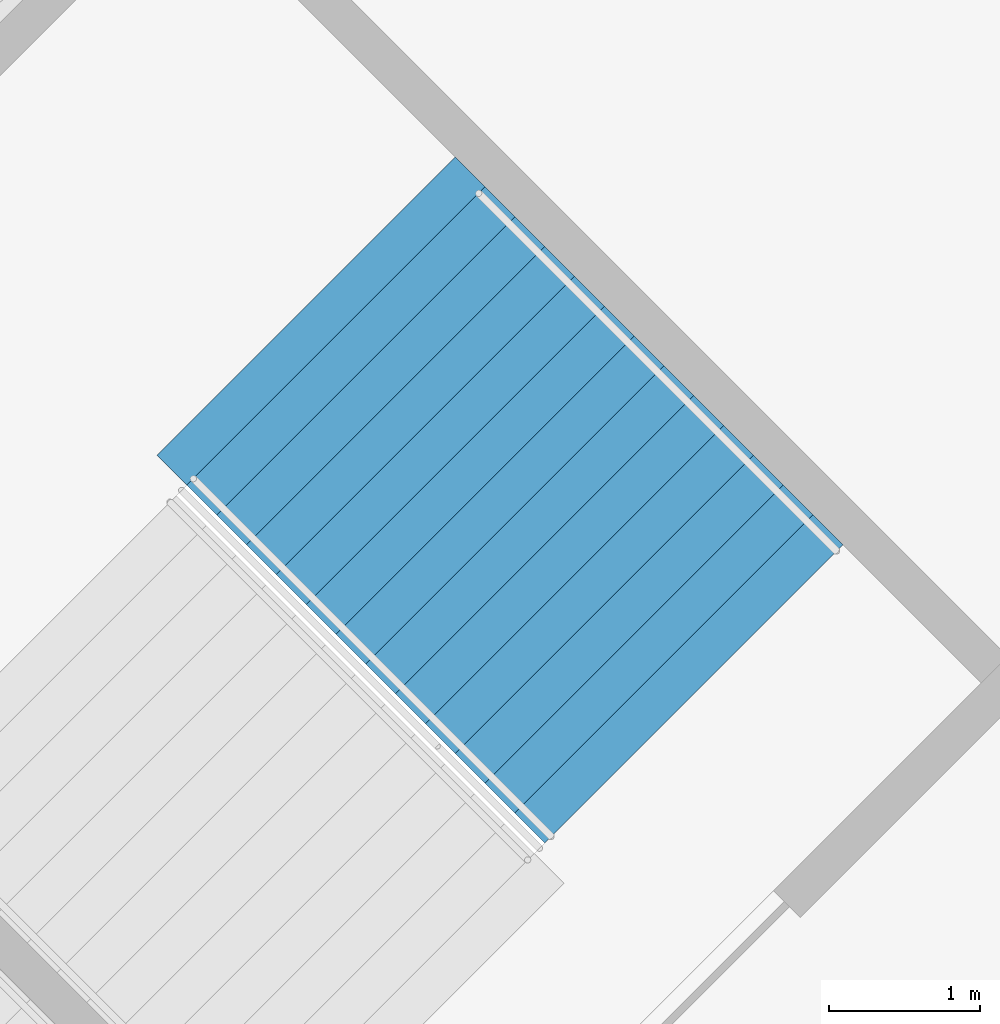
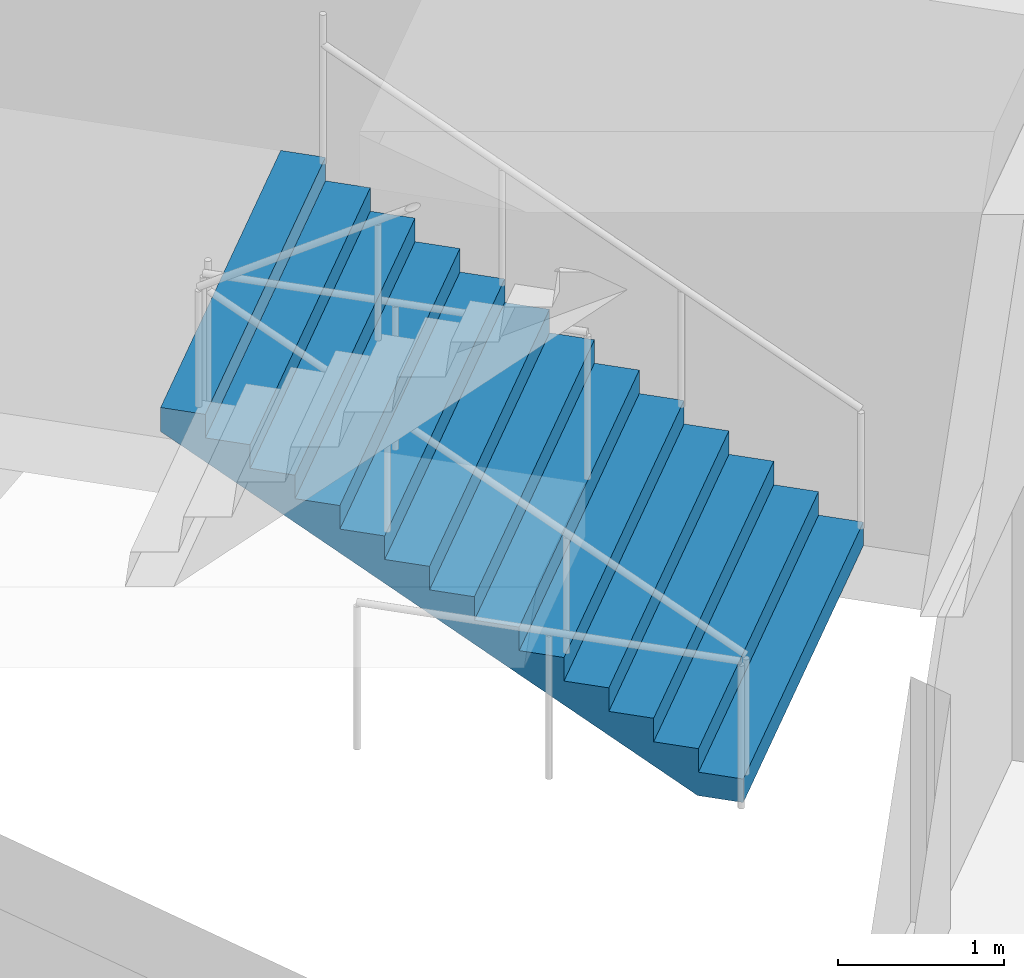
# One storey, part 158 of 199: 1 stair flight, 1 element without a shape of its own.
"""IFC4 building model written with IfcOpenShell, lengths in metres."""

from ifc_helpers import new_model, si_unit, direction, frame, origin, place, context, subcontext, project, spatial, faceted_brep, material, type_object, element, aggregate, save


model = new_model("IFC4")

# Units and contexts
model_context = context("Model", 3, precision=1e-05, world=origin(), true_north=direction((0.0, 1.0)))
body_context = subcontext(model_context, "Body", "Model", "MODEL_VIEW")
ifc_project = project(units=[si_unit("LENGTHUNIT", "METRE"), si_unit("AREAUNIT", "SQUARE_METRE"), si_unit("VOLUMEUNIT", "CUBIC_METRE"), si_unit("PLANEANGLEUNIT", "RADIAN"), si_unit("MASSUNIT", "GRAM", prefix="KILO")], contexts=[model_context])

# Site, building, storey
site_placement = place(None, origin())
site = spatial("IfcSite", under=ifc_project, at=site_placement, CompositionType="ELEMENT")
building_placement = place(site_placement, origin())
building = spatial("IfcBuilding", under=site, at=building_placement, Name="Ogive Plaza Stadium", CompositionType="ELEMENT")
storey_placement = place(building_placement, frame((0.0, 0.0, 9.0)))
storey = spatial("IfcBuildingStorey", under=building, at=storey_placement, Name="L02", CompositionType="ELEMENT", Elevation=9.0)

# Stair, stair flight
ifc_material_1 = material(Name="Concrete C40/50", Category="concrete")
stair_type = type_object("IfcStairType", Name="Exit stair", PredefinedType="STRAIGHT_RUN_STAIR", material=ifc_material_1)
stair_placement = place(storey_placement, origin())
stair = element("IfcStair", 1, at=stair_placement, inside=storey, type_object=stair_type, Name="Exit stair ST30A L02 to L03", PredefinedType="STRAIGHT_RUN_STAIR")
ifc_material_2 = material(Name="Concrete C40/50", Category="concrete")
stair_flight_type = type_object("IfcStairFlightType", Name="Exit stair flight", PredefinedType="STRAIGHT", material=ifc_material_2)
stair_flight_placement = place(storey_placement, frame((-60.817138671875, 85.574951171875, 0.0), z_axis=(0.0, 0.0, 1.0), x_axis=(-0.707106781187, 0.707106781187, 0.0)))
stair_flight = element("IfcStairFlight", 2, at=stair_flight_placement, type_object=stair_flight_type, Name="ST30A flight 1", NumberOfRisers=13, NumberOfTreads=12, PredefinedType="STRAIGHT", RiserHeight=0.173076923, TreadLength=0.28, context=body_context, shape_type="Brep", body=[
    faceted_brep([(0.28515625, -1.39990234375, 0.0), (3.639892578125, -1.39990234375, 2.07373046875), (3.639892578125, -1.39990234375, 2.25), (3.360107421875, -1.39990234375, 2.25), (3.360107421875, -1.39990234375, 2.076904296875), (3.080078125, -1.39990234375, 2.076904296875), (3.080078125, -1.39990234375, 1.90380859375), (2.800048828125, -1.39990234375, 1.90380859375), (2.800048828125, -1.39990234375, 1.730712890625), (2.52001953125, -1.39990234375, 1.730712890625), (2.52001953125, -1.39990234375, 1.5576171875), (2.239990234375, -1.39990234375, 1.5576171875), (2.239990234375, -1.39990234375, 1.384521484375), (1.9599609375, -1.39990234375, 1.384521484375), (1.9599609375, -1.39990234375, 1.21142578125), (1.679931640625, -1.39990234375, 1.21142578125), (1.679931640625, -1.39990234375, 1.03857421875), (1.39990234375, -1.39990234375, 1.03857421875), (1.39990234375, -1.39990234375, 0.865478515625), (1.1201171875, -1.39990234375, 0.865478515625), (1.1201171875, -1.39990234375, 0.6923828125), (0.840087890625, -1.39990234375, 0.6923828125), (0.840087890625, -1.39990234375, 0.519287109375), (0.56005859375, -1.39990234375, 0.519287109375), (0.56005859375, -1.39990234375, 0.34619140625), (0.280029296875, -1.39990234375, 0.34619140625), (0.280029296875, -1.39990234375, 0.173095703125), (0.0, -1.39990234375, 0.173095703125), (0.0, -1.39990234375, 0.0), (0.0, 1.39990234375, 0.0), (0.0, 1.39990234375, 0.173095703125), (0.280029296875, 1.39990234375, 0.173095703125), (0.280029296875, 1.39990234375, 0.34619140625), (0.56005859375, 1.39990234375, 0.34619140625), (0.56005859375, 1.39990234375, 0.519287109375), (0.840087890625, 1.39990234375, 0.519287109375), (0.840087890625, 1.39990234375, 0.6923828125), (1.1201171875, 1.39990234375, 0.6923828125), (1.1201171875, 1.39990234375, 0.865478515625), (1.39990234375, 1.39990234375, 0.865478515625), (1.39990234375, 1.39990234375, 1.03857421875), (1.679931640625, 1.39990234375, 1.03857421875), (1.679931640625, 1.39990234375, 1.21142578125), (1.9599609375, 1.39990234375, 1.21142578125), (1.9599609375, 1.39990234375, 1.384521484375), (2.239990234375, 1.39990234375, 1.384521484375), (2.239990234375, 1.39990234375, 1.5576171875), (2.52001953125, 1.39990234375, 1.5576171875), (2.52001953125, 1.39990234375, 1.730712890625), (2.800048828125, 1.39990234375, 1.730712890625), (2.800048828125, 1.39990234375, 1.90380859375), (3.080078125, 1.39990234375, 1.90380859375), (3.080078125, 1.39990234375, 2.076904296875), (3.360107421875, 1.39990234375, 2.076904296875), (3.360107421875, 1.39990234375, 2.25), (3.639892578125, 1.39990234375, 2.25), (3.639892578125, 1.39990234375, 2.07373046875), (0.28515625, 1.39990234375, 0.0), (0.28515625, -1.0888671875, 0.0), (3.639892578125, -1.0888671875, 2.07373046875), (0.28515625, -0.77783203125, 0.0), (3.639892578125, -0.77783203125, 2.07373046875), (0.28515625, -0.466796875, 0.0), (3.639892578125, -0.466796875, 2.07373046875), (0.28515625, -0.155517578125, 0.0), (3.639892578125, -0.155517578125, 2.07373046875), (0.28515625, 0.155517578125, 0.0), (3.639892578125, 0.155517578125, 2.07373046875), (0.28515625, 0.466796875, 0.0), (3.639892578125, 0.466796875, 2.07373046875), (0.28515625, 0.77783203125, 0.0), (3.639892578125, 0.77783203125, 2.07373046875), (0.28515625, 1.0888671875, 0.0), (3.639892578125, 1.0888671875, 2.07373046875), (3.639892578125, -1.0888671875, 2.25), (3.639892578125, -0.77783203125, 2.25), (3.639892578125, -0.466796875, 2.25), (3.639892578125, -0.155517578125, 2.25), (3.639892578125, 0.155517578125, 2.25), (3.639892578125, 0.466796875, 2.25), (3.639892578125, 0.77783203125, 2.25), (3.639892578125, 1.0888671875, 2.25), (3.360107421875, -1.0888671875, 2.25), (3.360107421875, -0.77783203125, 2.25), (3.360107421875, -0.466796875, 2.25), (3.360107421875, -0.155517578125, 2.25), (3.360107421875, 0.155517578125, 2.25), (3.360107421875, 0.466796875, 2.25), (3.360107421875, 0.77783203125, 2.25), (3.360107421875, 1.0888671875, 2.25), (3.360107421875, -1.0888671875, 2.076904296875), (3.360107421875, -0.77783203125, 2.076904296875), (3.360107421875, -0.466796875, 2.076904296875), (3.360107421875, -0.155517578125, 2.076904296875), (3.360107421875, 0.155517578125, 2.076904296875), (3.360107421875, 0.466796875, 2.076904296875), (3.360107421875, 0.77783203125, 2.076904296875), (3.360107421875, 1.0888671875, 2.076904296875), (3.080078125, -1.0888671875, 2.076904296875), (3.080078125, -0.77783203125, 2.076904296875), (3.080078125, -0.466796875, 2.076904296875), (3.080078125, -0.155517578125, 2.076904296875), (3.080078125, 0.155517578125, 2.076904296875), (3.080078125, 0.466796875, 2.076904296875), (3.080078125, 0.77783203125, 2.076904296875), (3.080078125, 1.0888671875, 2.076904296875), (3.080078125, -1.0888671875, 1.90380859375), (3.080078125, -0.77783203125, 1.90380859375), (3.080078125, -0.466796875, 1.90380859375), (3.080078125, -0.155517578125, 1.90380859375), (3.080078125, 0.155517578125, 1.90380859375), (3.080078125, 0.466796875, 1.90380859375), (3.080078125, 0.77783203125, 1.90380859375), (3.080078125, 1.0888671875, 1.90380859375), (2.800048828125, -1.0888671875, 1.90380859375), (2.800048828125, -0.77783203125, 1.90380859375), (2.800048828125, -0.466796875, 1.90380859375), (2.800048828125, -0.155517578125, 1.90380859375), (2.800048828125, 0.155517578125, 1.90380859375), (2.800048828125, 0.466796875, 1.90380859375), (2.800048828125, 0.77783203125, 1.90380859375), (2.800048828125, 1.0888671875, 1.90380859375), (2.800048828125, -1.0888671875, 1.730712890625), (2.800048828125, -0.77783203125, 1.730712890625), (2.800048828125, -0.466796875, 1.730712890625), (2.800048828125, -0.155517578125, 1.730712890625), (2.800048828125, 0.155517578125, 1.730712890625), (2.800048828125, 0.466796875, 1.730712890625), (2.800048828125, 0.77783203125, 1.730712890625), (2.800048828125, 1.0888671875, 1.730712890625), (2.52001953125, -1.0888671875, 1.730712890625), (2.52001953125, -0.77783203125, 1.730712890625), (2.52001953125, -0.466796875, 1.730712890625), (2.52001953125, -0.155517578125, 1.730712890625), (2.52001953125, 0.155517578125, 1.730712890625), (2.52001953125, 0.466796875, 1.730712890625), (2.52001953125, 0.77783203125, 1.730712890625), (2.52001953125, 1.0888671875, 1.730712890625), (2.52001953125, -1.0888671875, 1.5576171875), (2.52001953125, -0.77783203125, 1.5576171875), (2.52001953125, -0.466796875, 1.5576171875), (2.52001953125, -0.155517578125, 1.5576171875), (2.52001953125, 0.155517578125, 1.5576171875), (2.52001953125, 0.466796875, 1.5576171875), (2.52001953125, 0.77783203125, 1.5576171875), (2.52001953125, 1.0888671875, 1.5576171875), (2.239990234375, -1.0888671875, 1.5576171875), (2.239990234375, -0.77783203125, 1.5576171875), (2.239990234375, -0.466796875, 1.5576171875), (2.239990234375, -0.155517578125, 1.5576171875), (2.239990234375, 0.155517578125, 1.5576171875), (2.239990234375, 0.466796875, 1.5576171875), (2.239990234375, 0.77783203125, 1.5576171875), (2.239990234375, 1.0888671875, 1.5576171875), (2.239990234375, -1.0888671875, 1.384521484375), (2.239990234375, -0.77783203125, 1.384521484375), (2.239990234375, -0.466796875, 1.384521484375), (2.239990234375, -0.155517578125, 1.384521484375), (2.239990234375, 0.155517578125, 1.384521484375), (2.239990234375, 0.466796875, 1.384521484375), (2.239990234375, 0.77783203125, 1.384521484375), (2.239990234375, 1.0888671875, 1.384521484375), (1.9599609375, -1.0888671875, 1.384521484375), (1.9599609375, -0.77783203125, 1.384521484375), (1.9599609375, -0.466796875, 1.384521484375), (1.9599609375, -0.155517578125, 1.384521484375), (1.9599609375, 0.155517578125, 1.384521484375), (1.9599609375, 0.466796875, 1.384521484375), (1.9599609375, 0.77783203125, 1.384521484375), (1.9599609375, 1.0888671875, 1.384521484375), (1.9599609375, -1.0888671875, 1.21142578125), (1.9599609375, -0.77783203125, 1.21142578125), (1.9599609375, -0.466796875, 1.21142578125), (1.9599609375, -0.155517578125, 1.21142578125), (1.9599609375, 0.155517578125, 1.21142578125), (1.9599609375, 0.466796875, 1.21142578125), (1.9599609375, 0.77783203125, 1.21142578125), (1.9599609375, 1.0888671875, 1.21142578125), (1.679931640625, -1.0888671875, 1.21142578125), (1.679931640625, -0.77783203125, 1.21142578125), (1.679931640625, -0.466796875, 1.21142578125), (1.679931640625, -0.155517578125, 1.21142578125), (1.679931640625, 0.155517578125, 1.21142578125), (1.679931640625, 0.466796875, 1.21142578125), (1.679931640625, 0.77783203125, 1.21142578125), (1.679931640625, 1.0888671875, 1.21142578125), (1.679931640625, -1.0888671875, 1.03857421875), (1.679931640625, -0.77783203125, 1.03857421875), (1.679931640625, -0.466796875, 1.03857421875), (1.679931640625, -0.155517578125, 1.03857421875), (1.679931640625, 0.155517578125, 1.03857421875), (1.679931640625, 0.466796875, 1.03857421875), (1.679931640625, 0.77783203125, 1.03857421875), (1.679931640625, 1.0888671875, 1.03857421875), (1.39990234375, -1.0888671875, 1.03857421875), (1.39990234375, -0.77783203125, 1.03857421875), (1.39990234375, -0.466796875, 1.03857421875), (1.39990234375, -0.155517578125, 1.03857421875), (1.39990234375, 0.155517578125, 1.03857421875), (1.39990234375, 0.466796875, 1.03857421875), (1.39990234375, 0.77783203125, 1.03857421875), (1.39990234375, 1.0888671875, 1.03857421875), (1.39990234375, -1.0888671875, 0.865478515625), (1.39990234375, -0.77783203125, 0.865478515625), (1.39990234375, -0.466796875, 0.865478515625), (1.39990234375, -0.155517578125, 0.865478515625), (1.39990234375, 0.155517578125, 0.865478515625), (1.39990234375, 0.466796875, 0.865478515625), (1.39990234375, 0.77783203125, 0.865478515625), (1.39990234375, 1.0888671875, 0.865478515625), (1.1201171875, -1.0888671875, 0.865478515625), (1.1201171875, -0.77783203125, 0.865478515625), (1.1201171875, -0.466796875, 0.865478515625), (1.1201171875, -0.155517578125, 0.865478515625), (1.1201171875, 0.155517578125, 0.865478515625), (1.1201171875, 0.466796875, 0.865478515625), (1.1201171875, 0.77783203125, 0.865478515625), (1.1201171875, 1.0888671875, 0.865478515625), (1.1201171875, -1.0888671875, 0.6923828125), (1.1201171875, -0.77783203125, 0.6923828125), (1.1201171875, -0.466796875, 0.6923828125), (1.1201171875, -0.155517578125, 0.6923828125), (1.1201171875, 0.155517578125, 0.6923828125), (1.1201171875, 0.466796875, 0.6923828125), (1.1201171875, 0.77783203125, 0.6923828125), (1.1201171875, 1.0888671875, 0.6923828125), (0.840087890625, -1.0888671875, 0.6923828125), (0.840087890625, -0.77783203125, 0.6923828125), (0.840087890625, -0.466796875, 0.6923828125), (0.840087890625, -0.155517578125, 0.6923828125), (0.840087890625, 0.155517578125, 0.6923828125), (0.840087890625, 0.466796875, 0.6923828125), (0.840087890625, 0.77783203125, 0.6923828125), (0.840087890625, 1.0888671875, 0.6923828125), (0.840087890625, -1.0888671875, 0.519287109375), (0.840087890625, -0.77783203125, 0.519287109375), (0.840087890625, -0.466796875, 0.519287109375), (0.840087890625, -0.155517578125, 0.519287109375), (0.840087890625, 0.155517578125, 0.519287109375), (0.840087890625, 0.466796875, 0.519287109375), (0.840087890625, 0.77783203125, 0.519287109375), (0.840087890625, 1.0888671875, 0.519287109375), (0.56005859375, -1.0888671875, 0.519287109375), (0.56005859375, -0.77783203125, 0.519287109375), (0.56005859375, -0.466796875, 0.519287109375), (0.56005859375, -0.155517578125, 0.519287109375), (0.56005859375, 0.155517578125, 0.519287109375), (0.56005859375, 0.466796875, 0.519287109375), (0.56005859375, 0.77783203125, 0.519287109375), (0.56005859375, 1.0888671875, 0.519287109375), (0.56005859375, -1.0888671875, 0.34619140625), (0.56005859375, -0.77783203125, 0.34619140625), (0.56005859375, -0.466796875, 0.34619140625), (0.56005859375, -0.155517578125, 0.34619140625), (0.56005859375, 0.155517578125, 0.34619140625), (0.56005859375, 0.466796875, 0.34619140625), (0.56005859375, 0.77783203125, 0.34619140625), (0.56005859375, 1.0888671875, 0.34619140625), (0.280029296875, -1.0888671875, 0.34619140625), (0.280029296875, -0.77783203125, 0.34619140625), (0.280029296875, -0.466796875, 0.34619140625), (0.280029296875, -0.155517578125, 0.34619140625), (0.280029296875, 0.155517578125, 0.34619140625), (0.280029296875, 0.466796875, 0.34619140625), (0.280029296875, 0.77783203125, 0.34619140625), (0.280029296875, 1.0888671875, 0.34619140625), (0.280029296875, -1.0888671875, 0.173095703125), (0.280029296875, -0.77783203125, 0.173095703125), (0.280029296875, -0.466796875, 0.173095703125), (0.280029296875, -0.155517578125, 0.173095703125), (0.280029296875, 0.155517578125, 0.173095703125), (0.280029296875, 0.466796875, 0.173095703125), (0.280029296875, 0.77783203125, 0.173095703125), (0.280029296875, 1.0888671875, 0.173095703125), (0.0, -1.0888671875, 0.173095703125), (0.0, -0.77783203125, 0.173095703125), (0.0, -0.466796875, 0.173095703125), (0.0, -0.155517578125, 0.173095703125), (0.0, 0.155517578125, 0.173095703125), (0.0, 0.466796875, 0.173095703125), (0.0, 0.77783203125, 0.173095703125), (0.0, 1.0888671875, 0.173095703125), (0.0, -1.0888671875, 0.0), (0.0, -0.77783203125, 0.0), (0.0, -0.466796875, 0.0), (0.0, -0.155517578125, 0.0), (0.0, 0.155517578125, 0.0), (0.0, 0.466796875, 0.0), (0.0, 0.77783203125, 0.0), (0.0, 1.0888671875, 0.0)], [[[0, 1, 2, 3, 4, 5, 6, 7, 8, 9, 10, 11, 12, 13, 14, 15, 16, 17, 18, 19, 20, 21, 22, 23, 24, 25, 26, 27, 28]], [[29, 30, 31, 32, 33, 34, 35, 36, 37, 38, 39, 40, 41, 42, 43, 44, 45, 46, 47, 48, 49, 50, 51, 52, 53, 54, 55, 56, 57]], [[0, 58, 59, 1]], [[58, 60, 61, 59]], [[60, 62, 63, 61]], [[62, 64, 65, 63]], [[64, 66, 67, 65]], [[66, 68, 69, 67]], [[68, 70, 71, 69]], [[70, 72, 73, 71]], [[72, 57, 56, 73]], [[1, 59, 74, 2]], [[59, 61, 75, 74]], [[61, 63, 76, 75]], [[63, 65, 77, 76]], [[65, 67, 78, 77]], [[67, 69, 79, 78]], [[69, 71, 80, 79]], [[71, 73, 81, 80]], [[73, 56, 55, 81]], [[2, 74, 82, 3]], [[74, 75, 83, 82]], [[75, 76, 84, 83]], [[76, 77, 85, 84]], [[77, 78, 86, 85]], [[78, 79, 87, 86]], [[79, 80, 88, 87]], [[80, 81, 89, 88]], [[81, 55, 54, 89]], [[3, 82, 90, 4]], [[82, 83, 91, 90]], [[83, 84, 92, 91]], [[84, 85, 93, 92]], [[85, 86, 94, 93]], [[86, 87, 95, 94]], [[87, 88, 96, 95]], [[88, 89, 97, 96]], [[89, 54, 53, 97]], [[4, 90, 98, 5]], [[90, 91, 99, 98]], [[91, 92, 100, 99]], [[92, 93, 101, 100]], [[93, 94, 102, 101]], [[94, 95, 103, 102]], [[95, 96, 104, 103]], [[96, 97, 105, 104]], [[97, 53, 52, 105]], [[5, 98, 106, 6]], [[98, 99, 107, 106]], [[99, 100, 108, 107]], [[100, 101, 109, 108]], [[101, 102, 110, 109]], [[102, 103, 111, 110]], [[103, 104, 112, 111]], [[104, 105, 113, 112]], [[105, 52, 51, 113]], [[6, 106, 114, 7]], [[106, 107, 115, 114]], [[107, 108, 116, 115]], [[108, 109, 117, 116]], [[109, 110, 118, 117]], [[110, 111, 119, 118]], [[111, 112, 120, 119]], [[112, 113, 121, 120]], [[113, 51, 50, 121]], [[7, 114, 122, 8]], [[114, 115, 123, 122]], [[115, 116, 124, 123]], [[116, 117, 125, 124]], [[117, 118, 126, 125]], [[118, 119, 127, 126]], [[119, 120, 128, 127]], [[120, 121, 129, 128]], [[121, 50, 49, 129]], [[8, 122, 130, 9]], [[122, 123, 131, 130]], [[123, 124, 132, 131]], [[124, 125, 133, 132]], [[125, 126, 134, 133]], [[126, 127, 135, 134]], [[127, 128, 136, 135]], [[128, 129, 137, 136]], [[129, 49, 48, 137]], [[9, 130, 138, 10]], [[130, 131, 139, 138]], [[131, 132, 140, 139]], [[132, 133, 141, 140]], [[133, 134, 142, 141]], [[134, 135, 143, 142]], [[135, 136, 144, 143]], [[136, 137, 145, 144]], [[137, 48, 47, 145]], [[10, 138, 146, 11]], [[138, 139, 147, 146]], [[139, 140, 148, 147]], [[140, 141, 149, 148]], [[141, 142, 150, 149]], [[142, 143, 151, 150]], [[143, 144, 152, 151]], [[144, 145, 153, 152]], [[145, 47, 46, 153]], [[11, 146, 154, 12]], [[146, 147, 155, 154]], [[147, 148, 156, 155]], [[148, 149, 157, 156]], [[149, 150, 158, 157]], [[150, 151, 159, 158]], [[151, 152, 160, 159]], [[152, 153, 161, 160]], [[153, 46, 45, 161]], [[12, 154, 162, 13]], [[154, 155, 163, 162]], [[155, 156, 164, 163]], [[156, 157, 165, 164]], [[157, 158, 166, 165]], [[158, 159, 167, 166]], [[159, 160, 168, 167]], [[160, 161, 169, 168]], [[161, 45, 44, 169]], [[13, 162, 170, 14]], [[162, 163, 171, 170]], [[163, 164, 172, 171]], [[164, 165, 173, 172]], [[165, 166, 174, 173]], [[166, 167, 175, 174]], [[167, 168, 176, 175]], [[168, 169, 177, 176]], [[169, 44, 43, 177]], [[14, 170, 178, 15]], [[170, 171, 179, 178]], [[171, 172, 180, 179]], [[172, 173, 181, 180]], [[173, 174, 182, 181]], [[174, 175, 183, 182]], [[175, 176, 184, 183]], [[176, 177, 185, 184]], [[177, 43, 42, 185]], [[15, 178, 186, 16]], [[178, 179, 187, 186]], [[179, 180, 188, 187]], [[180, 181, 189, 188]], [[181, 182, 190, 189]], [[182, 183, 191, 190]], [[183, 184, 192, 191]], [[184, 185, 193, 192]], [[185, 42, 41, 193]], [[16, 186, 194, 17]], [[186, 187, 195, 194]], [[187, 188, 196, 195]], [[188, 189, 197, 196]], [[189, 190, 198, 197]], [[190, 191, 199, 198]], [[191, 192, 200, 199]], [[192, 193, 201, 200]], [[193, 41, 40, 201]], [[17, 194, 202, 18]], [[194, 195, 203, 202]], [[195, 196, 204, 203]], [[196, 197, 205, 204]], [[197, 198, 206, 205]], [[198, 199, 207, 206]], [[199, 200, 208, 207]], [[200, 201, 209, 208]], [[201, 40, 39, 209]], [[18, 202, 210, 19]], [[202, 203, 211, 210]], [[203, 204, 212, 211]], [[204, 205, 213, 212]], [[205, 206, 214, 213]], [[206, 207, 215, 214]], [[207, 208, 216, 215]], [[208, 209, 217, 216]], [[209, 39, 38, 217]], [[19, 210, 218, 20]], [[210, 211, 219, 218]], [[211, 212, 220, 219]], [[212, 213, 221, 220]], [[213, 214, 222, 221]], [[214, 215, 223, 222]], [[215, 216, 224, 223]], [[216, 217, 225, 224]], [[217, 38, 37, 225]], [[20, 218, 226, 21]], [[218, 219, 227, 226]], [[219, 220, 228, 227]], [[220, 221, 229, 228]], [[221, 222, 230, 229]], [[222, 223, 231, 230]], [[223, 224, 232, 231]], [[224, 225, 233, 232]], [[225, 37, 36, 233]], [[21, 226, 234, 22]], [[226, 227, 235, 234]], [[227, 228, 236, 235]], [[228, 229, 237, 236]], [[229, 230, 238, 237]], [[230, 231, 239, 238]], [[231, 232, 240, 239]], [[232, 233, 241, 240]], [[233, 36, 35, 241]], [[22, 234, 242, 23]], [[234, 235, 243, 242]], [[235, 236, 244, 243]], [[236, 237, 245, 244]], [[237, 238, 246, 245]], [[238, 239, 247, 246]], [[239, 240, 248, 247]], [[240, 241, 249, 248]], [[241, 35, 34, 249]], [[23, 242, 250, 24]], [[242, 243, 251, 250]], [[243, 244, 252, 251]], [[244, 245, 253, 252]], [[245, 246, 254, 253]], [[246, 247, 255, 254]], [[247, 248, 256, 255]], [[248, 249, 257, 256]], [[249, 34, 33, 257]], [[24, 250, 258, 25]], [[250, 251, 259, 258]], [[251, 252, 260, 259]], [[252, 253, 261, 260]], [[253, 254, 262, 261]], [[254, 255, 263, 262]], [[255, 256, 264, 263]], [[256, 257, 265, 264]], [[257, 33, 32, 265]], [[25, 258, 266, 26]], [[258, 259, 267, 266]], [[259, 260, 268, 267]], [[260, 261, 269, 268]], [[261, 262, 270, 269]], [[262, 263, 271, 270]], [[263, 264, 272, 271]], [[264, 265, 273, 272]], [[265, 32, 31, 273]], [[26, 266, 274, 27]], [[266, 267, 275, 274]], [[267, 268, 276, 275]], [[268, 269, 277, 276]], [[269, 270, 278, 277]], [[270, 271, 279, 278]], [[271, 272, 280, 279]], [[272, 273, 281, 280]], [[273, 31, 30, 281]], [[27, 274, 282, 28]], [[274, 275, 283, 282]], [[275, 276, 284, 283]], [[276, 277, 285, 284]], [[277, 278, 286, 285]], [[278, 279, 287, 286]], [[279, 280, 288, 287]], [[280, 281, 289, 288]], [[281, 30, 29, 289]], [[28, 282, 58, 0]], [[282, 283, 60, 58]], [[283, 284, 62, 60]], [[284, 285, 64, 62]], [[285, 286, 66, 64]], [[286, 287, 68, 66]], [[287, 288, 70, 68]], [[288, 289, 72, 70]], [[289, 29, 57, 72]]]),
])
aggregate(stair, [stair_flight])

save(model, "model.ifc")
